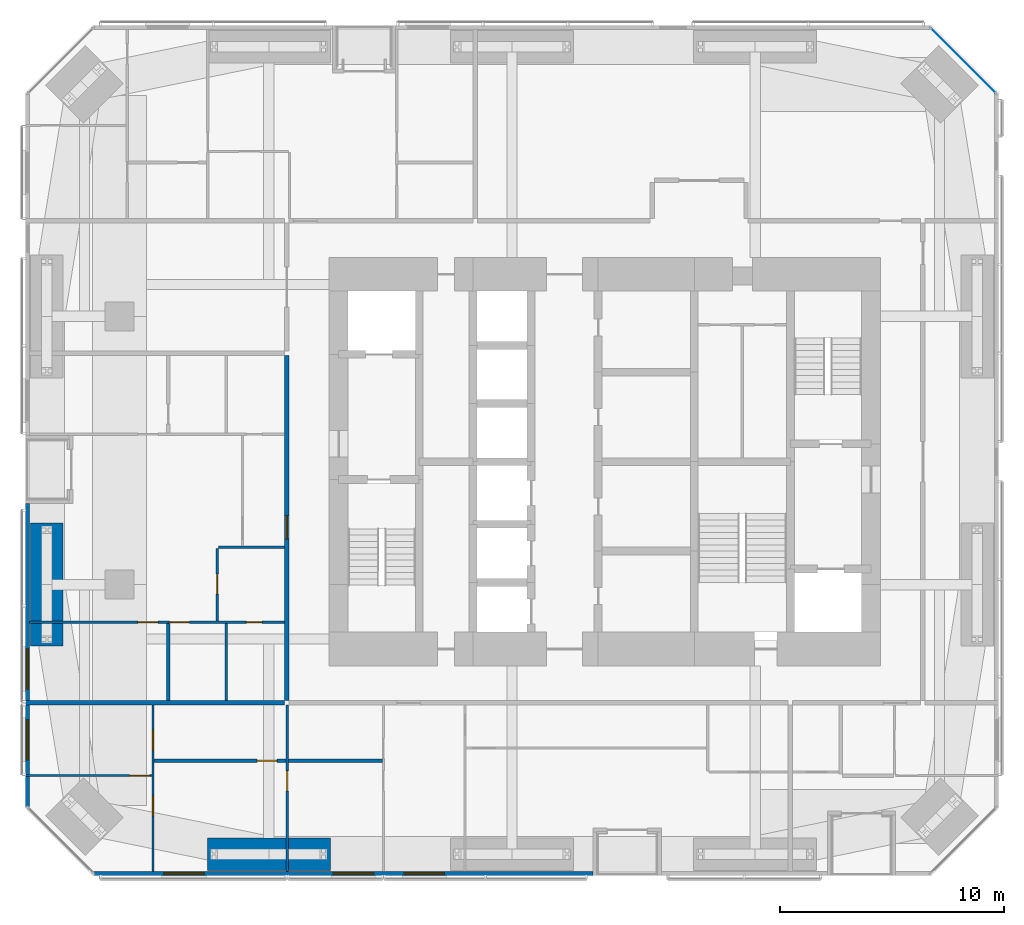
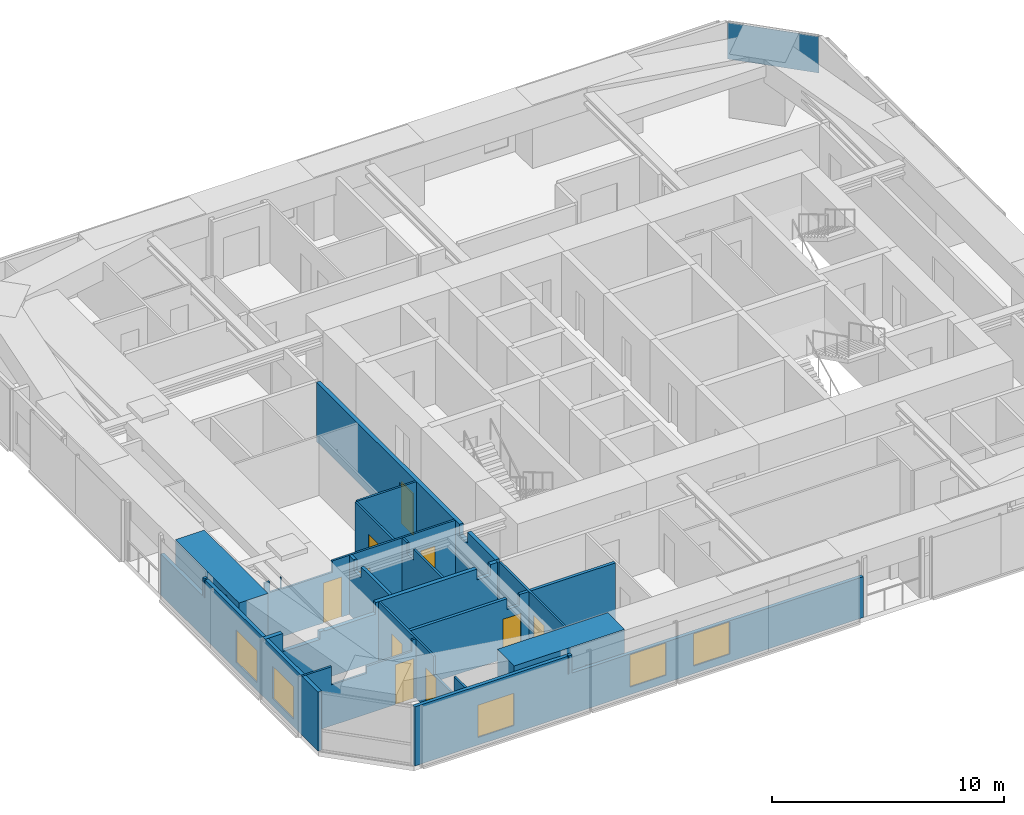
# One storey, part 17 of 24: 16 walls, 10 doors, 5 windows, 1 plate, 15 openings, 1 element without a shape of its own.
"""IFC4 building model written with IfcOpenShell, lengths in metres."""

import ifcopenshell
import ifcopenshell.guid

model = None  # the IFC model being written
_history = None  # IfcOwnerHistory: only IFC2X3 demands one
_inside = {}  # id of a spatial element -> (the spatial element, [elements in it])
_under = {}  # id of a project, library or spatial element -> (it, [spatial elements below it])
_declared = {}  # id of a project -> (the project, [libraries it declares])
_typed = {}  # id of a type object -> (the type object, [elements of that type])
_made_of = {}  # id of a material, layer set ... -> (it, [elements and type objects made of it])


def new_model(schema):
    """Start an empty IFC model of exactly this schema.

    Asked for "IFC4X3", IfcOpenShell would pick the latest addendum, in which some entities
    have other attributes; the version numbers below select the first issue.
    IFC2X3 requires an IfcOwnerHistory on every rooted entity: one is made here for all.
    """
    global model, _history
    if schema == "IFC4X3":
        model = ifcopenshell.file(schema_version=(4, 3, 0, 0))
    else:
        model = ifcopenshell.file(schema=schema)
    _inside.clear()
    _under.clear()
    _declared.clear()
    _typed.clear()
    _made_of.clear()
    _history = None
    if model.schema == "IFC2X3":
        org = make("IfcOrganization", Name="unknown")
        user = make(
            "IfcPersonAndOrganization",
            ThePerson=make("IfcPerson", FamilyName="unknown"),
            TheOrganization=org,
        )
        app = make(
            "IfcApplication",
            ApplicationDeveloper=org,
            Version="unknown",
            ApplicationFullName="unknown",
            ApplicationIdentifier="unknown",
        )
        _history = make(
            "IfcOwnerHistory",
            OwningUser=user,
            OwningApplication=app,
            ChangeAction="ADDED",
            CreationDate=0,
        )
    return model


def make(cls, **values):
    """One entity of the class cls with the attributes given. An attribute that is None is left unset."""
    return model.create_entity(
        cls, **{name: value for name, value in values.items() if value is not None}
    )


def rooted(cls, **values):
    """An entity with a GlobalId (a new one), such as an element, a storey or a relation."""
    return make(cls, GlobalId=ifcopenshell.guid.new(), OwnerHistory=_history, **values)


def si_unit(unit_type, name, prefix=None):
    """IfcSIUnit, for example si_unit("LENGTHUNIT", "METRE", prefix="MILLI")."""
    return make("IfcSIUnit", UnitType=unit_type, Prefix=prefix, Name=name)


def assignment(units):
    """IfcUnitAssignment: the units of a project."""
    return None if units is None else make("IfcUnitAssignment", Units=units)


def point(xyz):
    """IfcCartesianPoint."""
    return None if xyz is None else make("IfcCartesianPoint", Coordinates=xyz)


def direction(xyz):
    """IfcDirection."""
    return None if xyz is None else make("IfcDirection", DirectionRatios=xyz)


def frame(location, z_axis=None, x_axis=None):
    """IfcAxis2Placement3D, a coordinate frame: its origin and axes. An axis left out is left unset."""
    return make(
        "IfcAxis2Placement3D",
        Location=point(location),
        Axis=direction(z_axis),
        RefDirection=direction(x_axis),
    )


def frame_2d(location, x_axis=None):
    """IfcAxis2Placement2D, a coordinate frame in the plane: its origin and x axis."""
    return make(
        "IfcAxis2Placement2D", Location=point(location), RefDirection=direction(x_axis)
    )


def origin():
    """The frame at (0, 0, 0) with its axes left unset."""
    return frame((0.0, 0.0, 0.0))


def origin_2d():
    """The frame at (0, 0) in the plane with its x axis left unset."""
    return frame_2d((0.0, 0.0))


def place(relative_to, where):
    """IfcLocalPlacement: puts the frame where relative to a parent placement (None: the world)."""
    return make(
        "IfcLocalPlacement", PlacementRelTo=relative_to, RelativePlacement=where
    )


def context(
    kind, dimensions, precision=None, world=None, true_north=None, identifier=None
):
    """IfcGeometricRepresentationContext, for example the 3D "Model" context."""
    return make(
        "IfcGeometricRepresentationContext",
        ContextIdentifier=identifier,
        ContextType=kind,
        CoordinateSpaceDimension=dimensions,
        Precision=precision,
        WorldCoordinateSystem=world,
        TrueNorth=true_north,
    )


def subcontext(parent, identifier, kind, view, scale=None):
    """IfcGeometricRepresentationSubContext, for example "Body" below "Model"."""
    return make(
        "IfcGeometricRepresentationSubContext",
        ContextIdentifier=identifier,
        ContextType=kind,
        ParentContext=parent,
        TargetScale=scale,
        TargetView=view,
    )


def project(units=None, contexts=None):
    """IfcProject with its units and contexts."""
    return rooted(
        "IfcProject",
        Name="project",
        RepresentationContexts=contexts,
        UnitsInContext=assignment(units),
    )


def spatial(cls, under=None, at=None, **own):
    """A site, building, storey or space (cls), placed at a placement, below another one or the project."""
    s = rooted(cls, ObjectPlacement=at, **own)
    if under is not None:
        _under.setdefault(under.id(), (under, []))[1].append(s)
    return s


def polyline(points):
    """IfcPolyline through the points."""
    return make("IfcPolyline", Points=[point(p) for p in points])


def profile(cls, at=None, kind="AREA", **sizes):
    """A parametric profile (cls). Its sizes go by their IFC names, for example OverallWidth=200.0."""
    return make(cls, ProfileType=kind, Position=at, **sizes)


def rectangle(**sizes):
    """IfcRectangleProfileDef."""
    return profile("IfcRectangleProfileDef", **sizes)


def outline(outer, holes=None, kind="AREA"):
    """IfcArbitraryClosedProfileDef: a profile drawn as a closed curve; with holes, ...WithVoids."""
    if holes is None:
        return make("IfcArbitraryClosedProfileDef", ProfileType=kind, OuterCurve=outer)
    return make(
        "IfcArbitraryProfileDefWithVoids",
        ProfileType=kind,
        OuterCurve=outer,
        InnerCurves=holes,
    )


def extrude(swept, where, along, depth):
    """IfcExtrudedAreaSolid: the profile swept, set in the frame where, extruded along a direction by depth."""
    return make(
        "IfcExtrudedAreaSolid",
        SweptArea=swept,
        Position=where,
        ExtrudedDirection=direction(along),
        Depth=depth,
    )


def shape(context_of_items, identifier, shape_type, items):
    """IfcShapeRepresentation: the items that make up one representation, for example the "Body"."""
    return make(
        "IfcShapeRepresentation",
        ContextOfItems=context_of_items,
        RepresentationIdentifier=identifier,
        RepresentationType=shape_type,
        Items=items,
    )


def material(Name=None, Category=None):
    """IfcMaterial."""
    return make("IfcMaterial", Name=Name, Category=Category)


def layer(
    of_material, thickness, ventilated=None, Name=None, Category=None, Priority=None
):
    """IfcMaterialLayer: one layer of a wall or slab, of a material (None: an air gap)."""
    return make(
        "IfcMaterialLayer",
        Material=of_material,
        LayerThickness=thickness,
        IsVentilated=ventilated,
        Name=Name,
        Category=Category,
        Priority=Priority,
    )


def layer_set(layers, Name=None):
    """IfcMaterialLayerSet."""
    return make("IfcMaterialLayerSet", MaterialLayers=layers, LayerSetName=Name)


def constituent(of_material, Name=None, Category=None, fraction=None):
    """IfcMaterialConstituent: one of the materials an element consists of."""
    return make(
        "IfcMaterialConstituent",
        Name=Name,
        Material=of_material,
        Fraction=fraction,
        Category=Category,
    )


def constituent_set(constituents=None, Name=None):
    """IfcMaterialConstituentSet."""
    return make(
        "IfcMaterialConstituentSet", Name=Name, MaterialConstituents=constituents
    )


def made_of(thing, what):
    """Note that an element or type object is made of a material, layer set ...; save() writes the relation."""
    if what is not None:
        _made_of.setdefault(what.id(), (what, []))[1].append(thing)
    return thing


def type_object(cls, material=None, **own):
    """A type object (cls), such as IfcWallType, which elements share."""
    return made_of(rooted(cls, **own), material)


def element(
    cls,
    number,
    at=None,
    inside=None,
    cuts=None,
    type_object=None,
    material=None,
    context=None,
    identifier="Body",
    shape_type=None,
    held_by="IfcProductDefinitionShape",
    body=None,
    shapes=None,
    **own,
):
    """One element of the class cls, such as IfcWall. Its Tag is "e" and its number.

    at: its placement. inside: the storey or other place that contains it. cuts: it is an
    opening in that element (IfcRelVoidsElement). A single representation is given by context,
    identifier, shape_type and body (its items); several are given by shapes. held_by: the class
    of the entity that holds the representations. save() writes the other relations.
    """
    e = rooted(cls, Tag="e%d" % number, ObjectPlacement=at, **own)
    if body is not None:
        shapes = [shape(context, identifier, shape_type, body)]
    if shapes is not None:
        e.Representation = make(held_by, Representations=shapes)
    if inside is not None:
        _inside.setdefault(inside.id(), (inside, []))[1].append(e)
    if cuts is not None:
        rooted(
            "IfcRelVoidsElement", RelatingBuildingElement=cuts, RelatedOpeningElement=e
        )
    if type_object is not None:
        _typed.setdefault(type_object.id(), (type_object, []))[1].append(e)
    return made_of(e, material)


def fill(opening, filler):
    """IfcRelFillsElement: the door or window that sits in an opening."""
    return rooted(
        "IfcRelFillsElement",
        RelatingOpeningElement=opening,
        RelatedBuildingElement=filler,
    )


def aggregate(whole, parts):
    """IfcRelAggregates: a whole, such as a stair, and the parts it consists of."""
    return rooted("IfcRelAggregates", RelatingObject=whole, RelatedObjects=parts)


def save(model, path):
    """Write the relations noted so far, then the file.

    IfcRelAggregates (storeys below a building ...), IfcRelContainedInSpatialStructure (elements
    in a storey), IfcRelDefinesByType, IfcRelAssociatesMaterial and IfcRelDeclares: one each for
    every whole, place, type object, material and project.
    """
    for whole, parts in _under.values():
        aggregate(whole, parts)
    for where, things in _inside.values():
        rooted(
            "IfcRelContainedInSpatialStructure",
            RelatedElements=things,
            RelatingStructure=where,
        )
    for kind, things in _typed.values():
        rooted("IfcRelDefinesByType", RelatedObjects=things, RelatingType=kind)
    for what, things in _made_of.values():
        rooted("IfcRelAssociatesMaterial", RelatedObjects=things, RelatingMaterial=what)
    for by, libraries in _declared.values():
        rooted("IfcRelDeclares", RelatingContext=by, RelatedDefinitions=libraries)
    model.write(path)


model = new_model("IFC4")

# Units and contexts
model_context = context("Model", 3, precision=1e-05, world=origin(), true_north=direction((0.0, 1.0)))
body_context = subcontext(model_context, "Body", "Model", "MODEL_VIEW")
ifc_project = project(units=[si_unit("LENGTHUNIT", "METRE"), si_unit("AREAUNIT", "SQUARE_METRE"), si_unit("VOLUMEUNIT", "CUBIC_METRE"), si_unit("PLANEANGLEUNIT", "RADIAN"), si_unit("MASSUNIT", "GRAM", prefix="KILO")], contexts=[model_context])

# Site, building, storey
site_placement = place(None, origin())
site = spatial("IfcSite", under=ifc_project, at=site_placement, CompositionType="ELEMENT")
building_placement = place(site_placement, origin())
building = spatial("IfcBuilding", under=site, at=building_placement, Name="Jalousie Tower", CompositionType="ELEMENT")
storey_placement = place(building_placement, frame((0.0, 0.0, 131.64990234375)))
storey = spatial("IfcBuildingStorey", under=building, at=storey_placement, Name="L36", CompositionType="ELEMENT", Elevation=131.64990234375)

# Curtain wall, plate
ifc_material_1 = material(Name="Aluminium curtain wall", Category="aluminium")
curtain_wall_type = type_object("IfcCurtainWallType", Name="CORNER WINDOW WALL", PredefinedType="USERDEFINED", material=ifc_material_1)
curtain_wall_placement = place(storey_placement, origin())
curtain_wall = element("IfcCurtainWall", 1, at=curtain_wall_placement, inside=storey, type_object=curtain_wall_type, Name="Corner Window Wall L36 4", ObjectType="CORNER WINDOW WALL", PredefinedType="USERDEFINED")
ifc_material_2 = material(Name="Laminated impact-rated spandrel glass", Category="glass")
ifc_layer_1 = layer(ifc_material_2, 0.028076171875)
ifc_layer_set_1 = layer_set([ifc_layer_1], Name="Laminated impact-rated spandrel glass")
plate_type = type_object("IfcPlateType", Name="CORNER WINDOW WALL PANEL", PredefinedType="CURTAIN_PANEL", material=ifc_layer_set_1)
plate_placement = place(storey_placement, frame((47.9306640625, 36.4306640625, 1.130126953125), z_axis=(0.0, 0.0, 1.0), x_axis=(-0.707106781187, 0.707106781187, 0.0)))
plate = element("IfcPlate", 2, at=plate_placement, type_object=plate_type, Name="CW-C panel 1.2", PredefinedType="CURTAIN_PANEL", context=body_context, shape_type="SweptSolid", body=[
    extrude(rectangle(XDim=4.071533203125, YDim=0.028076171875, at=origin_2d()), origin(), (0.0, 0.0, 1.0), 1.919921875),
])
aggregate(curtain_wall, [plate])

# Wall, opening, door
ifc_material_3 = material(Name="Concrete block ASTM C90", Category="concrete")
ifc_constituent_1 = constituent(ifc_material_3, Name="Body")
ifc_material_4 = material(Name="Render")
ifc_constituent_2 = constituent(ifc_material_4, Name="Finish")
ifc_constituent_set_1 = constituent_set(constituents=[ifc_constituent_1, ifc_constituent_2])
wall_type_1 = type_object("IfcWallType", Name="BATHROOM WALL 150", PredefinedType="PLUMBINGWALL", material=ifc_constituent_set_1)
wall_1_placement = place(storey_placement, frame((11.75, 5.125, 0.0), z_axis=(0.0, 0.0, 1.0), x_axis=(1.0, 0.0, 0.0)))
wall_1 = element("IfcWall", 3, at=wall_1_placement, inside=storey, type_object=wall_type_1, Name="Bathroom Wall 150 L36", PredefinedType="PLUMBINGWALL", context=body_context, shape_type="SweptSolid", body=[
    extrude(outline(polyline([(0.0, 0.0), (5.89990234375, 0.0), (5.89990234375, 3.110107421875), (5.4375, 3.110107421875), (5.4375, 2.541015625), (4.8125, 2.541015625), (4.8125, 3.110107421875), (0.0, 3.110107421875), (0.0, 0.0)])), frame((0.0, 0.074951171875, 0.0), z_axis=(0.0, -1.0, 0.0), x_axis=(1.0, 0.0, 0.0)), (0.0, 0.0, 1.0), 0.14990234375),
])
opening_1_placement = place(wall_1_placement, frame((4.60009765625, 0.0, 0.0)))
opening_1 = element("IfcOpeningElement", 4, at=opening_1_placement, cuts=wall_1, Name="Opening D3", PredefinedType="OPENING", context=body_context, shape_type="SweptSolid", body=[
    extrude(rectangle(XDim=0.89990234375, YDim=2.10009765625, at=frame_2d((0.449951171875, 1.050048828125))), frame((0.0, 0.0849609375, 0.0), z_axis=(0.0, -1.0, 0.0), x_axis=(1.0, 0.0, 0.0)), (0.0, 0.0, 1.0), 0.169921875),
])
ifc_material_5 = material(Name="Timber door", Category="wood")
door_type_1 = type_object("IfcDoorType", Name="BATHROOM DOOR 900", OperationType="SINGLE_SWING_LEFT", PredefinedType="DOOR", material=ifc_material_5)
door_1_placement = place(opening_1_placement, origin())
door_1 = element("IfcDoor", 5, at=door_1_placement, inside=storey, type_object=door_type_1, Name="Apartment 3601 bedroom 2 bathroom door", OperationType="SINGLE_SWING_RIGHT", OverallHeight=2.10009765625, OverallWidth=0.89990234375, PredefinedType="DOOR", context=body_context, shape_type="SweptSolid", body=[
    extrude(rectangle(XDim=0.89990234375, YDim=2.10009765625, at=frame_2d((0.449951171875, 1.050048828125))), frame((0.0, 0.02490234375, 0.0), z_axis=(0.0, -1.0, 0.0), x_axis=(1.0, 0.0, 0.0)), (0.0, 0.0, 1.0), 0.050048828125),
])
fill(opening_1, door_1)

# Walls
wall_2_placement = place(storey_placement, frame((17.75, 5.125, 0.0), z_axis=(0.0, 0.0, 1.0), x_axis=(1.0, 0.0, 0.0)))
element("IfcWall", 6, at=wall_2_placement, inside=storey, type_object=wall_type_1, Name="Bathroom Wall 150 L36", PredefinedType="PLUMBINGWALL", context=body_context, shape_type="SweptSolid", body=[
    extrude(rectangle(XDim=4.199951171875, YDim=0.14990234375, at=frame_2d((2.10009765625, 0.0))), origin(), (0.0, 0.0, 1.0), 3.110107421875),
])
wall_3_placement = place(storey_placement, frame((12.375, 7.824951171875, 0.0), z_axis=(0.0, 0.0, 1.0), x_axis=(0.0, 1.0, 0.0)))
element("IfcWall", 7, at=wall_3_placement, inside=storey, type_object=wall_type_1, Name="Bathroom Wall 150 L36", PredefinedType="PLUMBINGWALL", context=body_context, shape_type="SweptSolid", body=[
    extrude(outline(polyline([(0.0, 0.0), (3.449951171875, 0.0), (3.449951171875, 3.110107421875), (3.0625, 3.110107421875), (3.0625, 2.541015625), (2.4375, 2.541015625), (2.4375, 3.110107421875), (0.0, 3.110107421875), (0.0, 0.0)])), frame((0.0, 0.074951171875, 0.0), z_axis=(0.0, -1.0, 0.0), x_axis=(1.0, 0.0, 0.0)), (0.0, 0.0, 1.0), 0.14990234375),
])

# Wall, opening, door
ifc_material_6 = material(Name="Concrete block ASTM C90", Category="concrete")
ifc_constituent_3 = constituent(ifc_material_6, Name="Body")
ifc_material_7 = material(Name="Render")
ifc_constituent_4 = constituent(ifc_material_7, Name="Finish")
ifc_constituent_set_2 = constituent_set(constituents=[ifc_constituent_3, ifc_constituent_4])
wall_type_2 = type_object("IfcWallType", Name="CORRIDOR WALL 200", PredefinedType="PARTITIONING", material=ifc_constituent_set_2)
wall_4_placement = place(storey_placement, frame((17.675048828125, 7.824951171875, 0.0), z_axis=(0.0, 0.0, 1.0), x_axis=(0.0, 1.0, 0.0)))
wall_4 = element("IfcWall", 8, at=wall_4_placement, inside=storey, type_object=wall_type_2, Name="Corridor Wall 200 L36", PredefinedType="PARTITIONING", context=body_context, shape_type="SweptSolid", body=[
    extrude(outline(polyline([(0.0, 0.0), (15.425048828125, 0.0), (15.425048828125, 3.110107421875), (3.08740234375, 3.110107421875), (3.08740234375, 2.541015625), (2.41259765625, 2.541015625), (2.41259765625, 3.110107421875), (0.0, 3.110107421875), (0.0, 0.0)])), frame((0.0, 0.10009765625, 0.0), z_axis=(0.0, -1.0, 0.0), x_axis=(1.0, 0.0, 0.0)), (0.0, 0.0, 1.0), 0.199951171875),
])
opening_2_placement = place(wall_4_placement, frame((7.21240234375, 0.0, 0.0)))
opening_2 = element("IfcOpeningElement", 9, at=opening_2_placement, cuts=wall_4, Name="Opening D1", PredefinedType="OPENING", context=body_context, shape_type="SweptSolid", body=[
    extrude(rectangle(XDim=1.050048828125, YDim=2.199951171875, at=frame_2d((0.52490234375, 1.10009765625))), frame((0.0, 0.10986328125, 0.0), z_axis=(0.0, -1.0, 0.0), x_axis=(1.0, 0.0, 0.0)), (0.0, 0.0, 1.0), 0.219970703125),
])
ifc_material_8 = material(Name="Timber fire door", Category="wood")
door_type_2 = type_object("IfcDoorType", Name="APARTMENT ENTRANCE DOOR 1050", OperationType="SINGLE_SWING_LEFT", PredefinedType="DOOR", material=ifc_material_8)
door_2_placement = place(opening_2_placement, origin())
door_2 = element("IfcDoor", 10, at=door_2_placement, inside=storey, type_object=door_type_2, Name="Apartment 3604 entrance", OperationType="SINGLE_SWING_LEFT", OverallHeight=2.199951171875, OverallWidth=1.050048828125, PredefinedType="DOOR", context=body_context, shape_type="SweptSolid", body=[
    extrude(rectangle(XDim=1.050048828125, YDim=2.199951171875, at=frame_2d((0.52490234375, 1.10009765625))), frame((0.0, 0.02490234375, 0.0), z_axis=(0.0, -1.0, 0.0), x_axis=(1.0, 0.0, 0.0)), (0.0, 0.0, 1.0), 0.050048828125),
])
fill(opening_2, door_2)

# Wall, openings, windows
ifc_material_9 = material(Name="Concrete f'c 40 MPa", Category="concrete")
ifc_constituent_5 = constituent(ifc_material_9, Name="Body")
ifc_material_10 = material(Name="Render, pastel sea green")
ifc_constituent_6 = constituent(ifc_material_10, Name="Finish")
ifc_constituent_set_3 = constituent_set(constituents=[ifc_constituent_5, ifc_constituent_6])
wall_type_3 = type_object("IfcWallType", Name="EXTERNAL WALL 175 SEA GREEN RENDER", PredefinedType="SOLIDWALL", material=ifc_constituent_set_3)
wall_5_placement = place(storey_placement, frame((9.05126953125, 0.08740234375, 0.0), z_axis=(0.0, 0.0, 1.0), x_axis=(1.0, 0.0, 0.0)))
wall_5 = element("IfcWall", 11, at=wall_5_placement, inside=storey, type_object=wall_type_3, Name="External Wall 175 Sea Green Render L36", PredefinedType="SOLIDWALL", context=body_context, shape_type="SweptSolid", body=[
    extrude(outline(polyline([(0.0, 0.0), (22.32373046875, 0.0), (22.32373046875, 2.150146484375), (7.82373046875, 2.150146484375), (7.82373046875, 3.110107421875), (7.66552734375, 3.110107421875), (7.66552734375, 2.150146484375), (7.620361328125, 2.150146484375), (7.620361328125, 3.110107421875), (0.0, 3.110107421875), (0.0, 0.0)])), frame((0.0, 0.08740234375, 0.0), z_axis=(0.0, -1.0, 0.0), x_axis=(1.0, 0.0, 0.0)), (0.0, 0.0, 1.0), 0.175048828125),
])
opening_3_placement = place(wall_5_placement, frame((3.1337890625, 0.0, 0.39990234375)))
opening_3 = element("IfcOpeningElement", 12, at=opening_3_placement, cuts=wall_5, Name="Opening W-BED170", PredefinedType="OPENING", context=body_context, shape_type="SweptSolid", body=[
    extrude(rectangle(XDim=1.800048828125, YDim=1.699951171875, at=frame_2d((0.89990234375, 0.85009765625))), frame((0.0, 0.097412109375, 0.0), z_axis=(0.0, -1.0, 0.0), x_axis=(1.0, 0.0, 0.0)), (0.0, 0.0, 1.0), 0.195068359375),
])
opening_4_placement = place(wall_5_placement, frame((10.706298828125, 0.0, 0.39990234375)))
opening_4 = element("IfcOpeningElement", 13, at=opening_4_placement, cuts=wall_5, Name="Opening W-BED170", PredefinedType="OPENING", context=body_context, shape_type="SweptSolid", body=[
    extrude(rectangle(XDim=1.800048828125, YDim=1.699951171875, at=frame_2d((0.89990234375, 0.85009765625))), frame((0.0, 0.097412109375, 0.0), z_axis=(0.0, -1.0, 0.0), x_axis=(1.0, 0.0, 0.0)), (0.0, 0.0, 1.0), 0.195068359375),
])
opening_5_placement = place(wall_5_placement, frame((13.873779296875, 0.0, 0.39990234375)))
opening_5 = element("IfcOpeningElement", 14, at=opening_5_placement, cuts=wall_5, Name="Opening W-BED170", PredefinedType="OPENING", context=body_context, shape_type="SweptSolid", body=[
    extrude(rectangle(XDim=1.800048828125, YDim=1.699951171875, at=frame_2d((0.89990234375, 0.85009765625))), frame((0.0, 0.097412109375, 0.0), z_axis=(0.0, -1.0, 0.0), x_axis=(1.0, 0.0, 0.0)), (0.0, 0.0, 1.0), 0.195068359375),
])
ifc_material_11 = material(Name="Aluminium frame, impact-rated glazing", Category="aluminium")
window_type = type_object("IfcWindowType", Name="WINDOW BED 1800x1700", PartitioningType="SINGLE_PANEL", PredefinedType="WINDOW", material=ifc_material_11)
window_1_placement = place(opening_3_placement, origin())
window_1 = element("IfcWindow", 15, at=window_1_placement, inside=storey, type_object=window_type, Name="Apartment 3601 bedroom 2 window", OverallHeight=1.699951171875, OverallWidth=1.800048828125, PartitioningType="SINGLE_PANEL", PredefinedType="WINDOW", context=body_context, shape_type="SweptSolid", body=[
    extrude(rectangle(XDim=1.800048828125, YDim=1.699951171875, at=frame_2d((0.89990234375, 0.85009765625))), frame((0.0, 0.030029296875, 0.0), z_axis=(0.0, -1.0, 0.0), x_axis=(1.0, 0.0, 0.0)), (0.0, 0.0, 1.0), 0.06005859375),
])
fill(opening_3, window_1)
window_2_placement = place(opening_4_placement, origin())
window_2 = element("IfcWindow", 16, at=window_2_placement, inside=storey, type_object=window_type, Name="Apartment 3601 bedroom 3 window", OverallHeight=1.699951171875, OverallWidth=1.800048828125, PartitioningType="SINGLE_PANEL", PredefinedType="WINDOW", context=body_context, shape_type="SweptSolid", body=[
    extrude(rectangle(XDim=1.800048828125, YDim=1.699951171875, at=frame_2d((0.89990234375, 0.85009765625))), frame((0.0, 0.030029296875, 0.0), z_axis=(0.0, -1.0, 0.0), x_axis=(1.0, 0.0, 0.0)), (0.0, 0.0, 1.0), 0.06005859375),
])
fill(opening_4, window_2)
window_3_placement = place(opening_5_placement, origin())
window_3 = element("IfcWindow", 17, at=window_3_placement, inside=storey, type_object=window_type, Name="Apartment 3601 study window", OverallHeight=1.699951171875, OverallWidth=1.800048828125, PartitioningType="SINGLE_PANEL", PredefinedType="WINDOW", context=body_context, shape_type="SweptSolid", body=[
    extrude(rectangle(XDim=1.800048828125, YDim=1.699951171875, at=frame_2d((0.89990234375, 0.85009765625))), frame((0.0, 0.030029296875, 0.0), z_axis=(0.0, -1.0, 0.0), x_axis=(1.0, 0.0, 0.0)), (0.0, 0.0, 1.0), 0.06005859375),
])
fill(opening_5, window_3)

wall_6_placement = place(storey_placement, frame((6.08740234375, 16.625, 0.0), z_axis=(0.0, 0.0, 1.0), x_axis=(0.0, -1.0, 0.0)))
wall_6 = element("IfcWall", 18, at=wall_6_placement, inside=storey, type_object=wall_type_3, Name="External Wall 175 Sea Green Render L36", PredefinedType="SOLIDWALL", context=body_context, shape_type="SweptSolid", body=[
    extrude(outline(polyline([(0.0, 0.0), (13.57373046875, 0.0), (13.57373046875, 3.110107421875), (3.843505859375, 3.110107421875), (3.843505859375, 2.150146484375), (3.750732421875, 2.150146484375), (3.750732421875, 3.110107421875), (3.625, 3.110107421875), (3.625, 2.150146484375), (0.0, 2.150146484375), (0.0, 0.0)])), frame((0.0, 0.08740234375, 0.0), z_axis=(0.0, -1.0, 0.0), x_axis=(1.0, 0.0, 0.0)), (0.0, 0.0, 1.0), 0.175048828125),
])
opening_6_placement = place(wall_6_placement, frame((6.5, 0.0, 0.39990234375)))
opening_6 = element("IfcOpeningElement", 19, at=opening_6_placement, cuts=wall_6, Name="Opening W-BED170", PredefinedType="OPENING", context=body_context, shape_type="SweptSolid", body=[
    extrude(rectangle(XDim=1.800048828125, YDim=1.699951171875, at=frame_2d((0.89990234375, 0.85009765625))), frame((0.0, 0.097412109375, 0.0), z_axis=(0.0, -1.0, 0.0), x_axis=(1.0, 0.0, 0.0)), (0.0, 0.0, 1.0), 0.195068359375),
])
opening_7_placement = place(wall_6_placement, frame((9.655517578125, 0.0, 0.39990234375)))
opening_7 = element("IfcOpeningElement", 20, at=opening_7_placement, cuts=wall_6, Name="Opening W-BED170", PredefinedType="OPENING", context=body_context, shape_type="SweptSolid", body=[
    extrude(rectangle(XDim=1.800048828125, YDim=1.699951171875, at=frame_2d((0.89990234375, 0.85009765625))), frame((0.0, 0.097412109375, 0.0), z_axis=(0.0, -1.0, 0.0), x_axis=(1.0, 0.0, 0.0)), (0.0, 0.0, 1.0), 0.195068359375),
])
window_4_placement = place(opening_6_placement, origin())
window_4 = element("IfcWindow", 21, at=window_4_placement, inside=storey, type_object=window_type, Name="Apartment 3604 bedroom 1 window", OverallHeight=1.699951171875, OverallWidth=1.800048828125, PartitioningType="SINGLE_PANEL", PredefinedType="WINDOW", context=body_context, shape_type="SweptSolid", body=[
    extrude(rectangle(XDim=1.800048828125, YDim=1.699951171875, at=frame_2d((0.89990234375, 0.85009765625))), frame((0.0, 0.030029296875, 0.0), z_axis=(0.0, -1.0, 0.0), x_axis=(1.0, 0.0, 0.0)), (0.0, 0.0, 1.0), 0.06005859375),
])
fill(opening_6, window_4)
window_5_placement = place(opening_7_placement, origin())
window_5 = element("IfcWindow", 22, at=window_5_placement, inside=storey, type_object=window_type, Name="Apartment 3601 bedroom 1 window", OverallHeight=1.699951171875, OverallWidth=1.800048828125, PartitioningType="SINGLE_PANEL", PredefinedType="WINDOW", context=body_context, shape_type="SweptSolid", body=[
    extrude(rectangle(XDim=1.800048828125, YDim=1.699951171875, at=frame_2d((0.89990234375, 0.85009765625))), frame((0.0, 0.030029296875, 0.0), z_axis=(0.0, -1.0, 0.0), x_axis=(1.0, 0.0, 0.0)), (0.0, 0.0, 1.0), 0.06005859375),
])
fill(opening_7, window_5)

# Wall, openings, doors
ifc_material_12 = material(Name="Gypsum board", Category="gypsum")
ifc_constituent_7 = constituent(ifc_material_12, Name="Body")
ifc_material_13 = material(Name="Light-gauge steel studs ASTM A653 SS Grade 33", Category="steel")
ifc_constituent_8 = constituent(ifc_material_13, Name="Framing")
ifc_constituent_set_4 = constituent_set(constituents=[ifc_constituent_7, ifc_constituent_8])
wall_type_4 = type_object("IfcWallType", Name="PARTITION 100", PredefinedType="PARTITIONING", material=ifc_constituent_set_4)
wall_7_placement = place(storey_placement, frame((11.699951171875, 0.175048828125, 0.0), z_axis=(0.0, 0.0, 1.0), x_axis=(0.0, 1.0, 0.0)))
wall_7 = element("IfcWall", 23, at=wall_7_placement, inside=storey, type_object=wall_type_4, Name="Partition 100 L36", PredefinedType="PARTITIONING", context=body_context, shape_type="SweptSolid", body=[
    extrude(outline(polyline([(0.0, 0.0), (7.449951171875, 0.0), (7.449951171875, 3.110107421875), (2.708251953125, 3.110107421875), (2.708251953125, 2.150146484375), (0.952880859375, 2.150146484375), (0.952880859375, 3.110107421875), (0.0, 3.110107421875), (0.0, 0.0)])), frame((0.0, 0.050048828125, 0.0), z_axis=(0.0, -1.0, 0.0), x_axis=(1.0, 0.0, 0.0)), (0.0, 0.0, 1.0), 0.10009765625),
])
opening_8_placement = place(wall_7_placement, frame((2.48876953125, 0.0, 0.0)))
opening_8 = element("IfcOpeningElement", 24, at=opening_8_placement, cuts=wall_7, Name="Opening D2", PredefinedType="OPENING", context=body_context, shape_type="SweptSolid", body=[
    extrude(rectangle(XDim=0.89990234375, YDim=2.10009765625, at=frame_2d((0.449951171875, 1.050048828125))), frame((0.0, 0.06005859375, 0.0), z_axis=(0.0, -1.0, 0.0), x_axis=(1.0, 0.0, 0.0)), (0.0, 0.0, 1.0), 0.1201171875),
])
opening_9_placement = place(wall_7_placement, frame((5.41943359375, 0.0, 0.0)))
opening_9 = element("IfcOpeningElement", 25, at=opening_9_placement, cuts=wall_7, Name="Opening D3", PredefinedType="OPENING", context=body_context, shape_type="SweptSolid", body=[
    extrude(rectangle(XDim=0.89990234375, YDim=2.10009765625, at=frame_2d((0.449951171875, 1.050048828125))), frame((0.0, 0.06005859375, 0.0), z_axis=(0.0, -1.0, 0.0), x_axis=(1.0, 0.0, 0.0)), (0.0, 0.0, 1.0), 0.1201171875),
])
door_3_placement = place(opening_9_placement, frame((0.89990234375, 0.0, 0.0), z_axis=(0.0, 0.0, 1.0), x_axis=(-1.0, 0.0, 0.0)))
door_3 = element("IfcDoor", 26, at=door_3_placement, inside=storey, type_object=door_type_1, Name="Apartment 3601 bedroom 1 bathroom door", OperationType="SINGLE_SWING_RIGHT", OverallHeight=2.10009765625, OverallWidth=0.89990234375, PredefinedType="DOOR", context=body_context, shape_type="SweptSolid", body=[
    extrude(rectangle(XDim=0.89990234375, YDim=2.10009765625, at=frame_2d((0.449951171875, 1.050048828125))), frame((0.0, 0.02490234375, 0.0), z_axis=(0.0, -1.0, 0.0), x_axis=(1.0, 0.0, 0.0)), (0.0, 0.0, 1.0), 0.050048828125),
])
fill(opening_9, door_3)
ifc_material_14 = material(Name="Timber door", Category="wood")
door_type_3 = type_object("IfcDoorType", Name="BEDROOM DOOR 900", OperationType="SINGLE_SWING_LEFT", PredefinedType="DOOR", material=ifc_material_14)
door_4_placement = place(opening_8_placement, frame((0.89990234375, 0.0, 0.0), z_axis=(0.0, 0.0, 1.0), x_axis=(-1.0, 0.0, 0.0)))
door_4 = element("IfcDoor", 27, at=door_4_placement, inside=storey, type_object=door_type_3, Name="Apartment 3601 bedroom 1 door", OperationType="SINGLE_SWING_LEFT", OverallHeight=2.10009765625, OverallWidth=0.89990234375, PredefinedType="DOOR", context=body_context, shape_type="SweptSolid", body=[
    extrude(rectangle(XDim=0.89990234375, YDim=2.10009765625, at=frame_2d((0.449951171875, 1.050048828125))), frame((0.0, 0.02490234375, 0.0), z_axis=(0.0, -1.0, 0.0), x_axis=(1.0, 0.0, 0.0)), (0.0, 0.0, 1.0), 0.050048828125),
])
fill(opening_8, door_4)

# Wall, opening, door
wall_8_placement = place(storey_placement, frame((17.699951171875, 0.175048828125, 0.0), z_axis=(0.0, 0.0, 1.0), x_axis=(0.0, 1.0, 0.0)))
wall_8 = element("IfcWall", 28, at=wall_8_placement, inside=storey, type_object=wall_type_4, Name="Partition 100 L36", PredefinedType="PARTITIONING", context=body_context, shape_type="SweptSolid", body=[
    extrude(outline(polyline([(1.635009765625, 2.150146484375), (0.0, 2.150146484375), (0.0, 0.0), (7.449951171875, 0.0), (7.449951171875, 3.110107421875), (1.635009765625, 3.110107421875), (1.635009765625, 2.150146484375)]), holes=[polyline([(1.021240234375, 0.1162109375), (0.52880859375, 0.1162109375), (0.52880859375, 0.906005859375), (1.021240234375, 0.906005859375), (1.021240234375, 0.1162109375)]), polyline([(1.021240234375, 1.244140625), (0.52880859375, 1.244140625), (0.52880859375, 2.0341796875), (1.021240234375, 2.0341796875), (1.021240234375, 1.244140625)])]), frame((0.0, 0.050048828125, 0.0), z_axis=(0.0, -1.0, 0.0), x_axis=(1.0, 0.0, 0.0)), (0.0, 0.0, 1.0), 0.10009765625),
])
opening_10_placement = place(wall_8_placement, frame((3.60009765625, 0.0, 0.0)))
opening_10 = element("IfcOpeningElement", 29, at=opening_10_placement, cuts=wall_8, Name="Opening D2", PredefinedType="OPENING", context=body_context, shape_type="SweptSolid", body=[
    extrude(rectangle(XDim=0.89990234375, YDim=2.10009765625, at=frame_2d((0.449951171875, 1.050048828125))), frame((0.0, 0.06005859375, 0.0), z_axis=(0.0, -1.0, 0.0), x_axis=(1.0, 0.0, 0.0)), (0.0, 0.0, 1.0), 0.1201171875),
])
door_5_placement = place(opening_10_placement, origin())
door_5 = element("IfcDoor", 30, at=door_5_placement, inside=storey, type_object=door_type_3, Name="Apartment 3601 bedroom 2 door", OperationType="SINGLE_SWING_RIGHT", OverallHeight=2.10009765625, OverallWidth=0.89990234375, PredefinedType="DOOR", context=body_context, shape_type="SweptSolid", body=[
    extrude(rectangle(XDim=0.89990234375, YDim=2.10009765625, at=frame_2d((0.449951171875, 1.050048828125))), frame((0.0, 0.02490234375, 0.0), z_axis=(0.0, -1.0, 0.0), x_axis=(1.0, 0.0, 0.0)), (0.0, 0.0, 1.0), 0.050048828125),
])
fill(opening_10, door_5)

wall_9_placement = place(storey_placement, frame((6.0, 4.4638671875, 0.0), z_axis=(0.0, 0.0, 1.0), x_axis=(1.0, 0.0, 0.0)))
wall_9 = element("IfcWall", 31, at=wall_9_placement, inside=storey, type_object=wall_type_4, Name="Partition 100 L36", PredefinedType="PARTITIONING", context=body_context, shape_type="SweptSolid", body=[
    extrude(outline(polyline([(0.0, 0.0), (5.64990234375, 0.0), (5.64990234375, 3.110107421875), (5.4599609375, 3.110107421875), (5.4599609375, 2.510009765625), (3.20556640625, 2.510009765625), (3.20556640625, 2.150146484375), (1.462890625, 2.150146484375), (1.462890625, 3.110107421875), (0.0, 3.110107421875), (0.0, 0.0)])), frame((0.0, 0.050048828125, 0.0), z_axis=(0.0, -1.0, 0.0), x_axis=(1.0, 0.0, 0.0)), (0.0, 0.0, 1.0), 0.10009765625),
])
opening_11_placement = place(wall_9_placement, frame((4.64990234375, 0.0, 0.0)))
opening_11 = element("IfcOpeningElement", 32, at=opening_11_placement, cuts=wall_9, Name="Opening D7", PredefinedType="OPENING", context=body_context, shape_type="SweptSolid", body=[
    extrude(rectangle(XDim=0.89990234375, YDim=2.10009765625, at=frame_2d((0.449951171875, 1.050048828125))), frame((0.0, 0.06005859375, 0.0), z_axis=(0.0, -1.0, 0.0), x_axis=(1.0, 0.0, 0.0)), (0.0, 0.0, 1.0), 0.1201171875),
])
ifc_material_15 = material(Name="Timber door", Category="wood")
door_type_4 = type_object("IfcDoorType", Name="INTERNAL DOOR 900", OperationType="SINGLE_SWING_LEFT", PredefinedType="DOOR", material=ifc_material_15)
door_6_placement = place(opening_11_placement, origin())
door_6 = element("IfcDoor", 33, at=door_6_placement, inside=storey, type_object=door_type_4, Name="Apartment 3601 bedroom 1 dressing hall door", OperationType="SINGLE_SWING_RIGHT", OverallHeight=2.10009765625, OverallWidth=0.89990234375, PredefinedType="DOOR", context=body_context, shape_type="SweptSolid", body=[
    extrude(rectangle(XDim=0.89990234375, YDim=2.10009765625, at=frame_2d((0.449951171875, 1.050048828125))), frame((0.0, 0.02490234375, 0.0), z_axis=(0.0, -1.0, 0.0), x_axis=(1.0, 0.0, 0.0)), (0.0, 0.0, 1.0), 0.050048828125),
])
fill(opening_11, door_6)

# Wall, openings, doors
wall_10_placement = place(storey_placement, frame((6.175048828125, 11.324951171875, 0.0), z_axis=(0.0, 0.0, 1.0), x_axis=(1.0, 0.0, 0.0)))
wall_10 = element("IfcWall", 34, at=wall_10_placement, inside=storey, type_object=wall_type_4, Name="Partition 100 L36", PredefinedType="PARTITIONING", context=body_context, shape_type="SweptSolid", body=[
    extrude(outline(polyline([(0.17529296875, 3.110107421875), (0.0, 3.110107421875), (0.0, 0.0), (0.52880859375, 0.0), (0.52880859375, 0.324951171875), (1.021240234375, 0.324951171875), (1.021240234375, 0.0), (11.39990234375, 0.0), (11.39990234375, 3.110107421875), (5.284912109375, 3.110107421875), (5.284912109375, 2.510009765625), (2.764892578125, 2.510009765625), (2.764892578125, 3.110107421875), (2.74365234375, 3.110107421875), (2.74365234375, 2.541015625), (2.1689453125, 2.541015625), (2.1689453125, 3.110107421875), (1.91796875, 3.110107421875), (1.91796875, 2.150146484375), (1.021240234375, 2.150146484375), (1.021240234375, 1.8251953125), (0.52880859375, 1.8251953125), (0.52880859375, 2.150146484375), (0.17529296875, 2.150146484375), (0.17529296875, 3.110107421875)])), frame((0.0, 0.050048828125, 0.0), z_axis=(0.0, -1.0, 0.0), x_axis=(1.0, 0.0, 0.0)), (0.0, 0.0, 1.0), 0.10009765625),
])
opening_12_placement = place(wall_10_placement, frame((4.85009765625, 0.0, 0.0)))
opening_12 = element("IfcOpeningElement", 35, at=opening_12_placement, cuts=wall_10, Name="Opening D2", PredefinedType="OPENING", context=body_context, shape_type="SweptSolid", body=[
    extrude(rectangle(XDim=0.89990234375, YDim=2.10009765625, at=frame_2d((0.449951171875, 1.050048828125))), frame((0.0, 0.06005859375, 0.0), z_axis=(0.0, -1.0, 0.0), x_axis=(1.0, 0.0, 0.0)), (0.0, 0.0, 1.0), 0.1201171875),
])
opening_13_placement = place(wall_10_placement, frame((6.25, 0.0, 0.0)))
opening_13 = element("IfcOpeningElement", 36, at=opening_13_placement, cuts=wall_10, Name="Opening D7", PredefinedType="OPENING", context=body_context, shape_type="SweptSolid", body=[
    extrude(rectangle(XDim=0.89990234375, YDim=2.10009765625, at=frame_2d((0.449951171875, 1.050048828125))), frame((0.0, 0.06005859375, 0.0), z_axis=(0.0, -1.0, 0.0), x_axis=(1.0, 0.0, 0.0)), (0.0, 0.0, 1.0), 0.1201171875),
])
opening_14_placement = place(wall_10_placement, frame((9.699951171875, 0.0, 0.0)))
opening_14 = element("IfcOpeningElement", 37, at=opening_14_placement, cuts=wall_10, Name="Opening D4", PredefinedType="OPENING", context=body_context, shape_type="SweptSolid", body=[
    extrude(rectangle(XDim=0.699951171875, YDim=2.10009765625, at=frame_2d((0.35009765625, 1.050048828125))), frame((0.0, 0.06005859375, 0.0), z_axis=(0.0, -1.0, 0.0), x_axis=(1.0, 0.0, 0.0)), (0.0, 0.0, 1.0), 0.1201171875),
])
door_7_placement = place(opening_12_placement, frame((0.89990234375, 0.0, 0.0), z_axis=(0.0, 0.0, 1.0), x_axis=(-1.0, 0.0, 0.0)))
door_7 = element("IfcDoor", 38, at=door_7_placement, inside=storey, type_object=door_type_3, Name="Apartment 3604 bedroom 1 door", OperationType="SINGLE_SWING_LEFT", OverallHeight=2.10009765625, OverallWidth=0.89990234375, PredefinedType="DOOR", context=body_context, shape_type="SweptSolid", body=[
    extrude(rectangle(XDim=0.89990234375, YDim=2.10009765625, at=frame_2d((0.449951171875, 1.050048828125))), frame((0.0, 0.02490234375, 0.0), z_axis=(0.0, -1.0, 0.0), x_axis=(1.0, 0.0, 0.0)), (0.0, 0.0, 1.0), 0.050048828125),
])
fill(opening_12, door_7)
door_8_placement = place(opening_13_placement, frame((0.89990234375, 0.0, 0.0), z_axis=(0.0, 0.0, 1.0), x_axis=(-1.0, 0.0, 0.0)))
door_8 = element("IfcDoor", 39, at=door_8_placement, inside=storey, type_object=door_type_4, Name="Apartment 3604 bathroom door", OperationType="SINGLE_SWING_RIGHT", OverallHeight=2.10009765625, OverallWidth=0.89990234375, PredefinedType="DOOR", context=body_context, shape_type="SweptSolid", body=[
    extrude(rectangle(XDim=0.89990234375, YDim=2.10009765625, at=frame_2d((0.449951171875, 1.050048828125))), frame((0.0, 0.02490234375, 0.0), z_axis=(0.0, -1.0, 0.0), x_axis=(1.0, 0.0, 0.0)), (0.0, 0.0, 1.0), 0.050048828125),
])
fill(opening_13, door_8)
ifc_material_16 = material(Name="Timber door", Category="wood")
door_type_5 = type_object("IfcDoorType", Name="STORE DOOR 700", OperationType="SINGLE_SWING_LEFT", PredefinedType="DOOR", material=ifc_material_16)
door_9_placement = place(opening_14_placement, frame((0.699951171875, 0.0, 0.0), z_axis=(0.0, 0.0, 1.0), x_axis=(-1.0, 0.0, 0.0)))
door_9 = element("IfcDoor", 40, at=door_9_placement, inside=storey, type_object=door_type_5, Name="Apartment 3604 store door", OperationType="SINGLE_SWING_RIGHT", OverallHeight=2.10009765625, OverallWidth=0.699951171875, PredefinedType="DOOR", context=body_context, shape_type="SweptSolid", body=[
    extrude(rectangle(XDim=0.699951171875, YDim=2.10009765625, at=frame_2d((0.35009765625, 1.050048828125))), frame((0.0, 0.02490234375, 0.0), z_axis=(0.0, -1.0, 0.0), x_axis=(1.0, 0.0, 0.0)), (0.0, 0.0, 1.0), 0.050048828125),
])
fill(opening_14, door_9)

# Wall
wall_11_placement = place(storey_placement, frame((14.97509765625, 7.824951171875, 0.0), z_axis=(0.0, 0.0, 1.0), x_axis=(0.0, 1.0, 0.0)))
element("IfcWall", 41, at=wall_11_placement, inside=storey, type_object=wall_type_4, Name="Partition 100 L36", PredefinedType="PARTITIONING", context=body_context, shape_type="SweptSolid", body=[
    extrude(outline(polyline([(0.0, 0.0), (3.449951171875, 0.0), (3.449951171875, 3.110107421875), (3.037353515625, 3.110107421875), (3.037353515625, 2.541015625), (2.462646484375, 2.541015625), (2.462646484375, 3.110107421875), (0.0, 3.110107421875), (0.0, 0.0)])), frame((0.0, 0.050048828125, 0.0), z_axis=(0.0, -1.0, 0.0), x_axis=(1.0, 0.0, 0.0)), (0.0, 0.0, 1.0), 0.10009765625),
])

# Wall, opening, door
wall_12_placement = place(storey_placement, frame((14.574951171875, 11.375, 0.0), z_axis=(0.0, 0.0, 1.0), x_axis=(0.0, 1.0, 0.0)))
wall_12 = element("IfcWall", 42, at=wall_12_placement, inside=storey, type_object=wall_type_4, Name="Partition 100 L36", PredefinedType="PARTITIONING", context=body_context, shape_type="SweptSolid", body=[
    extrude(rectangle(XDim=3.25, YDim=0.10009765625, at=frame_2d((1.625, 0.0))), origin(), (0.0, 0.0, 1.0), 3.110107421875),
])
opening_15_placement = place(wall_12_placement, frame((1.199951171875, 0.0, 0.0)))
opening_15 = element("IfcOpeningElement", 43, at=opening_15_placement, cuts=wall_12, Name="Opening D7", PredefinedType="OPENING", context=body_context, shape_type="SweptSolid", body=[
    extrude(rectangle(XDim=0.89990234375, YDim=2.10009765625, at=frame_2d((0.449951171875, 1.050048828125))), frame((0.0, 0.06005859375, 0.0), z_axis=(0.0, -1.0, 0.0), x_axis=(1.0, 0.0, 0.0)), (0.0, 0.0, 1.0), 0.1201171875),
])
door_10_placement = place(opening_15_placement, origin())
door_10 = element("IfcDoor", 44, at=door_10_placement, inside=storey, type_object=door_type_4, Name="Apartment 3604 kitchen door", OperationType="SINGLE_SWING_LEFT", OverallHeight=2.10009765625, OverallWidth=0.89990234375, PredefinedType="DOOR", context=body_context, shape_type="SweptSolid", body=[
    extrude(rectangle(XDim=0.89990234375, YDim=2.10009765625, at=frame_2d((0.449951171875, 1.050048828125))), frame((0.0, 0.02490234375, 0.0), z_axis=(0.0, -1.0, 0.0), x_axis=(1.0, 0.0, 0.0)), (0.0, 0.0, 1.0), 0.050048828125),
])
fill(opening_15, door_10)

# Walls
wall_13_placement = place(storey_placement, frame((14.625, 14.675048828125, 0.0), z_axis=(0.0, 0.0, 1.0), x_axis=(1.0, 0.0, 0.0)))
element("IfcWall", 45, at=wall_13_placement, inside=storey, type_object=wall_type_4, Name="Partition 100 L36", PredefinedType="PARTITIONING", context=body_context, shape_type="SweptSolid", body=[
    extrude(rectangle(XDim=2.949951171875, YDim=0.10009765625, at=frame_2d((1.47509765625, 0.0))), origin(), (0.0, 0.0, 1.0), 3.110107421875),
])
ifc_material_17 = material(Name="Concrete block ASTM C90", Category="concrete")
ifc_constituent_9 = constituent(ifc_material_17, Name="Body")
ifc_material_18 = material(Name="Render")
ifc_constituent_10 = constituent(ifc_material_18, Name="Finish")
ifc_constituent_set_5 = constituent_set(constituents=[ifc_constituent_9, ifc_constituent_10])
wall_type_5 = type_object("IfcWallType", Name="PARTY WALL 200", PredefinedType="PARTITIONING", material=ifc_constituent_set_5)
wall_14_placement = place(storey_placement, frame((6.0, 7.72509765625, 0.0), z_axis=(0.0, 0.0, 1.0), x_axis=(1.0, 0.0, 0.0)))
element("IfcWall", 46, at=wall_14_placement, inside=storey, type_object=wall_type_5, Name="Party Wall 200 L36", PredefinedType="PARTITIONING", context=body_context, shape_type="SweptSolid", body=[
    extrude(outline(polyline([(0.0, 0.0), (11.574951171875, 0.0), (11.574951171875, 3.110107421875), (11.21240234375, 3.110107421875), (11.21240234375, 2.541015625), (10.53759765625, 2.541015625), (10.53759765625, 3.110107421875), (5.510009765625, 3.110107421875), (5.510009765625, 2.510009765625), (2.96875, 2.510009765625), (2.96875, 2.541015625), (2.727294921875, 2.541015625), (2.727294921875, 2.150146484375), (0.883544921875, 2.150146484375), (0.883544921875, 3.110107421875), (0.0, 3.110107421875), (0.0, 0.0)])), frame((0.0, 0.10009765625, 0.0), z_axis=(0.0, -1.0, 0.0), x_axis=(1.0, 0.0, 0.0)), (0.0, 0.0, 1.0), 0.199951171875),
])
ifc_material_19 = material(Name="Concrete f'c 120 MPa", Category="concrete")
ifc_layer_2 = layer(ifc_material_19, 1.449951171875)
ifc_layer_set_2 = layer_set([ifc_layer_2], Name="Concrete f'c 120 MPa")
wall_type_6 = type_object("IfcWallType", Name="RC WALL PIER 1450", PredefinedType="SHEAR", material=ifc_layer_set_2)
for number, where, z_axis, x_axis, name in (
    (47, (14.125, 0.949951171875, 0.0), (0.0, 0.0, 1.0), (1.0, 0.0, 0.0), "Wall pier 02 L36"),
    (48, (6.949951171875, 10.25, 0.0), (0.0, 0.0, 1.0), (0.0, 1.0, 0.0), "Wall pier 14 L36"),
):
    element("IfcWall", number, at=place(storey_placement, frame(where, z_axis=z_axis, x_axis=x_axis)), inside=storey, type_object=wall_type_6, Name=name, PredefinedType="SHEAR", context=body_context, shape_type="SweptSolid", body=[
        extrude(rectangle(XDim=5.5, YDim=1.449951171875, at=frame_2d((2.75, 0.0))), origin(), (0.0, 0.0, 1.0), 3.35009765625),
    ])

save(model, "model.ifc")
